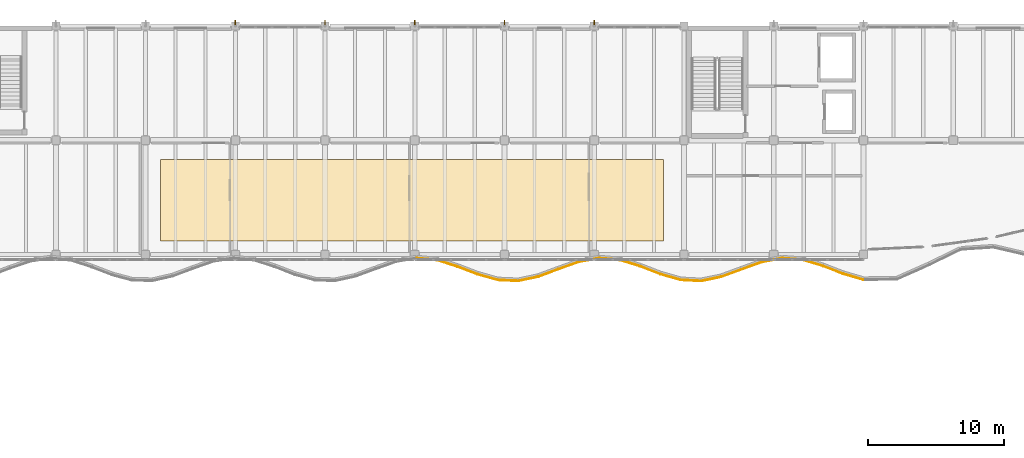
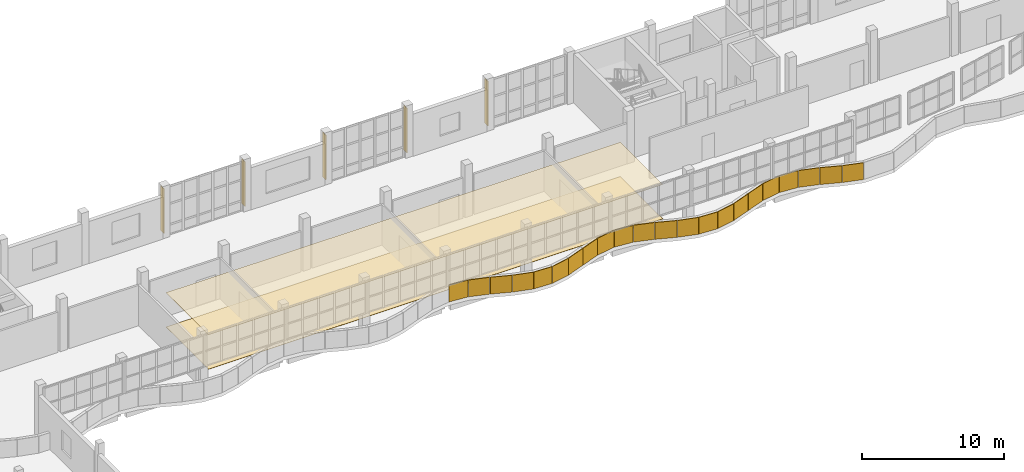
# One storey, part 70 of 76: 24 coverings, 5 shading devices.
"""IFC4 building model written with IfcOpenShell, lengths in metres."""

from ifc_helpers import new_model, si_unit, direction, frame, origin, origin_2d, place, context, subcontext, project, spatial, polyline, rectangle, outline, extrude, material, layer, layer_set, type_object, element, save


model = new_model("IFC4")

# Units and contexts
model_context = context("Model", 3, precision=1e-05, world=origin(), true_north=direction((0.0, 1.0)))
body_context = subcontext(model_context, "Body", "Model", "MODEL_VIEW")
ifc_project = project(units=[si_unit("LENGTHUNIT", "METRE"), si_unit("AREAUNIT", "SQUARE_METRE"), si_unit("VOLUMEUNIT", "CUBIC_METRE"), si_unit("PLANEANGLEUNIT", "RADIAN"), si_unit("MASSUNIT", "GRAM", prefix="KILO")], contexts=[model_context])

# Site, building, storey
site_placement = place(None, origin())
site = spatial("IfcSite", under=ifc_project, at=site_placement, CompositionType="ELEMENT")
building_placement = place(site_placement, origin())
building = spatial("IfcBuilding", under=site, at=building_placement, Name="Qaldarim Faculty of Natural and Applied Sciences", CompositionType="ELEMENT")
storey_placement = place(building_placement, frame((0.0, 0.0, 9.89990234375)))
storey = spatial("IfcBuildingStorey", under=building, at=storey_placement, Name="L02", CompositionType="ELEMENT", Elevation=9.89990234375)

# Coverings
ifc_material_1 = material(Name="Acoustic mineral fibre")
ifc_layer_1 = layer(ifc_material_1, 0.02001953125)
ifc_layer_set_1 = layer_set([ifc_layer_1], Name="Acoustic mineral fibre")
covering_type_1 = type_object("IfcCoveringType", Name="AcousticMineralCeiling-20", PredefinedType="CEILING", material=ifc_layer_set_1)
covering_1_placement = place(storey_placement, frame((0.0, 0.0, 2.9501953125)))
element("IfcCovering", 1, at=covering_1_placement, inside=storey, type_object=covering_type_1, Name="Acoustic mineral-fibre laboratory ceiling L02", PredefinedType="CEILING", context=body_context, shape_type="SweptSolid", body=[
    extrude(outline(polyline([(60.5, 101.800048828125), (97.5, 101.800048828125), (97.5, 107.800048828125), (60.5, 107.800048828125), (60.5, 101.800048828125)])), origin(), (0.0, 0.0, 1.0), 0.02001953125),
])
ifc_material_2 = material(Name="Chemical-resistant epoxy finish")
ifc_layer_2 = layer(ifc_material_2, 0.014892578125)
ifc_layer_set_2 = layer_set([ifc_layer_2], Name="Chemical-resistant epoxy finish")
covering_type_2 = type_object("IfcCoveringType", Name="LabEpoxyFlooring-15", PredefinedType="FLOORING", material=ifc_layer_set_2)
covering_2_placement = place(storey_placement, origin())
element("IfcCovering", 2, at=covering_2_placement, inside=storey, type_object=covering_type_2, Name="Chemical-resistant epoxy laboratory flooring L02", PredefinedType="FLOORING", context=body_context, shape_type="SweptSolid", body=[
    extrude(outline(polyline([(60.5, 101.800048828125), (97.5, 101.800048828125), (97.5, 107.800048828125), (60.5, 107.800048828125), (60.5, 101.800048828125)])), origin(), (0.0, 0.0, 1.0), 0.01513671875),
])
ifc_material_3 = material(Name="White architectural precast concrete C40/50", Category="concrete")
ifc_layer_3 = layer(ifc_material_3, 0.06005859375)
ifc_layer_set_3 = layer_set([ifc_layer_3], Name="White architectural precast concrete C40/50")
covering_type_3 = type_object("IfcCoveringType", Name="LimestoneSpandrelCladding-60", PredefinedType="CLADDING", material=ifc_layer_set_3)
covering_3_placement = place(storey_placement, frame((80.074951171875, 100.455078125, 0.0), z_axis=(0.0, 0.0, 1.0), x_axis=(0.995643710507, -0.093239485886, 0.0)))
element("IfcCovering", 3, at=covering_3_placement, inside=storey, type_object=covering_type_3, Name="White limestone wave band fascia L02 chord 32", PredefinedType="CLADDING", context=body_context, shape_type="SweptSolid", body=[
    extrude(rectangle(XDim=1.4599609375, YDim=0.06005859375, at=origin_2d()), origin(), (0.0, 0.0, 1.0), 1.449951171875),
])
covering_4_placement = place(storey_placement, frame((81.574951171875, 100.14990234375, 0.0), z_axis=(0.0, 0.0, 1.0), x_axis=(0.953968534743, -0.29990671003, 0.0)))
element("IfcCovering", 4, at=covering_4_placement, inside=storey, type_object=covering_type_3, Name="White limestone wave band fascia L02 chord 33", PredefinedType="CLADDING", context=body_context, shape_type="SweptSolid", body=[
    extrude(rectangle(XDim=1.52490234375, YDim=0.06005859375, at=origin_2d()), origin(), (0.0, 0.0, 1.0), 1.449951171875),
])
covering_5_placement = place(storey_placement, frame((83.074951171875, 99.625, 0.0), z_axis=(0.0, 0.0, 1.0), x_axis=(0.933342542564, -0.358987044669, 0.0)))
element("IfcCovering", 5, at=covering_5_placement, inside=storey, type_object=covering_type_3, Name="White limestone wave band fascia L02 chord 34", PredefinedType="CLADDING", context=body_context, shape_type="SweptSolid", body=[
    extrude(rectangle(XDim=1.56005859375, YDim=0.06005859375, at=origin_2d()), origin(), (0.0, 0.0, 1.0), 1.449951171875),
])
covering_6_placement = place(storey_placement, frame((84.56494140625, 99.1298828125, 0.0), z_axis=(0.0, 0.0, 1.0), x_axis=(0.962493127308, -0.271306063117, 0.0)))
element("IfcCovering", 6, at=covering_6_placement, inside=storey, type_object=covering_type_3, Name="White limestone wave band fascia L02 chord 35", PredefinedType="CLADDING", context=body_context, shape_type="SweptSolid", body=[
    extrude(rectangle(XDim=1.510009765625, YDim=0.06005859375, at=origin_2d()), origin(), (0.0, 0.0, 1.0), 1.449951171875),
])
covering_7_placement = place(storey_placement, frame((86.050048828125, 98.889892578125, 0.0), z_axis=(0.0, 0.0, 1.0), x_axis=(0.999055819385, -0.043445019893, 0.0)))
element("IfcCovering", 7, at=covering_7_placement, inside=storey, type_object=covering_type_3, Name="White limestone wave band fascia L02 chord 36", PredefinedType="CLADDING", context=body_context, shape_type="SweptSolid", body=[
    extrude(rectangle(XDim=1.455078125, YDim=0.06005859375, at=origin_2d()), origin(), (0.0, 0.0, 1.0), 1.449951171875),
])
covering_8_placement = place(storey_placement, frame((87.534912109375, 99.010009765625, 0.0), z_axis=(0.0, 0.0, 1.0), x_axis=(0.97851618239, 0.206170028864, 0.0)))
element("IfcCovering", 8, at=covering_8_placement, inside=storey, type_object=covering_type_3, Name="White limestone wave band fascia L02 chord 37", PredefinedType="CLADDING", context=body_context, shape_type="SweptSolid", body=[
    extrude(rectangle(XDim=1.489990234375, YDim=0.06005859375, at=origin_2d()), origin(), (0.0, 0.0, 1.0), 1.449951171875),
])
covering_9_placement = place(storey_placement, frame((89.02490234375, 99.445068359375, 0.0), z_axis=(0.0, 0.0, 1.0), x_axis=(0.937482597106, 0.348032153864, 0.0)))
element("IfcCovering", 9, at=covering_9_placement, inside=storey, type_object=covering_type_3, Name="White limestone wave band fascia L02 chord 38", PredefinedType="CLADDING", context=body_context, shape_type="SweptSolid", body=[
    extrude(rectangle(XDim=1.554931640625, YDim=0.06005859375, at=origin_2d()), origin(), (0.0, 0.0, 1.0), 1.449951171875),
])
covering_10_placement = place(storey_placement, frame((90.52490234375, 99.989990234375, 0.0), z_axis=(0.0, 0.0, 1.0), x_axis=(0.941529364694, 0.336930935681, 0.0)))
element("IfcCovering", 10, at=covering_10_placement, inside=storey, type_object=covering_type_3, Name="White limestone wave band fascia L02 chord 39", PredefinedType="CLADDING", context=body_context, shape_type="SweptSolid", body=[
    extrude(rectangle(XDim=1.550048828125, YDim=0.06005859375, at=origin_2d()), origin(), (0.0, 0.0, 1.0), 1.449951171875),
])
covering_11_placement = place(storey_placement, frame((92.02001953125, 100.39501953125, 0.0), z_axis=(0.0, 0.0, 1.0), x_axis=(0.984649749361, 0.174541889194, 0.0)))
element("IfcCovering", 11, at=covering_11_placement, inside=storey, type_object=covering_type_3, Name="White limestone wave band fascia L02 chord 40", PredefinedType="CLADDING", context=body_context, shape_type="SweptSolid", body=[
    extrude(rectangle(XDim=1.47998046875, YDim=0.06005859375, at=origin_2d()), origin(), (0.0, 0.0, 1.0), 1.449951171875),
])
covering_12_placement = place(storey_placement, frame((93.52490234375, 100.4599609375, 0.0), z_axis=(0.0, 0.0, 1.0), x_axis=(0.996240196174, -0.0866341245, 0.0)))
element("IfcCovering", 12, at=covering_12_placement, inside=storey, type_object=covering_type_3, Name="White limestone wave band fascia L02 chord 41", PredefinedType="CLADDING", context=body_context, shape_type="SweptSolid", body=[
    extrude(rectangle(XDim=1.4599609375, YDim=0.06005859375, at=origin_2d()), origin(), (0.0, 0.0, 1.0), 1.449951171875),
])
covering_13_placement = place(storey_placement, frame((95.02490234375, 100.1650390625, 0.0), z_axis=(0.0, 0.0, 1.0), x_axis=(0.955500019478, -0.294991038469, 0.0)))
element("IfcCovering", 13, at=covering_13_placement, inside=storey, type_object=covering_type_3, Name="White limestone wave band fascia L02 chord 42", PredefinedType="CLADDING", context=body_context, shape_type="SweptSolid", body=[
    extrude(rectangle(XDim=1.52001953125, YDim=0.06005859375, at=origin_2d()), origin(), (0.0, 0.0, 1.0), 1.449951171875),
])
covering_14_placement = place(storey_placement, frame((96.52001953125, 99.639892578125, 0.0), z_axis=(0.0, 0.0, 1.0), x_axis=(0.932298552786, -0.361689657681, 0.0)))
element("IfcCovering", 14, at=covering_14_placement, inside=storey, type_object=covering_type_3, Name="White limestone wave band fascia L02 chord 43", PredefinedType="CLADDING", context=body_context, shape_type="SweptSolid", body=[
    extrude(rectangle(XDim=1.56494140625, YDim=0.06005859375, at=origin_2d()), origin(), (0.0, 0.0, 1.0), 1.449951171875),
])
covering_15_placement = place(storey_placement, frame((98.010009765625, 99.139892578125, 0.0), z_axis=(0.0, 0.0, 1.0), x_axis=(0.961889394975, -0.273438826494, 0.0)))
element("IfcCovering", 15, at=covering_15_placement, inside=storey, type_object=covering_type_3, Name="White limestone wave band fascia L02 chord 44", PredefinedType="CLADDING", context=body_context, shape_type="SweptSolid", body=[
    extrude(rectangle(XDim=1.514892578125, YDim=0.06005859375, at=origin_2d()), origin(), (0.0, 0.0, 1.0), 1.449951171875),
])
covering_16_placement = place(storey_placement, frame((99.4951171875, 98.889892578125, 0.0), z_axis=(0.0, 0.0, 1.0), x_axis=(0.998571384692, -0.053433974907, 0.0)))
element("IfcCovering", 16, at=covering_16_placement, inside=storey, type_object=covering_type_3, Name="White limestone wave band fascia L02 chord 45", PredefinedType="CLADDING", context=body_context, shape_type="SweptSolid", body=[
    extrude(rectangle(XDim=1.455078125, YDim=0.06005859375, at=origin_2d()), origin(), (0.0, 0.0, 1.0), 1.449951171875),
])
covering_17_placement = place(storey_placement, frame((100.985107421875, 99.0, 0.0), z_axis=(0.0, 0.0, 1.0), x_axis=(0.979816692763, 0.199898095498, 0.0)))
element("IfcCovering", 17, at=covering_17_placement, inside=storey, type_object=covering_type_3, Name="White limestone wave band fascia L02 chord 46", PredefinedType="CLADDING", context=body_context, shape_type="SweptSolid", body=[
    extrude(rectangle(XDim=1.485107421875, YDim=0.06005859375, at=origin_2d()), origin(), (0.0, 0.0, 1.0), 1.449951171875),
])
covering_18_placement = place(storey_placement, frame((102.47509765625, 99.425048828125, 0.0), z_axis=(0.0, 0.0, 1.0), x_axis=(0.938505075369, 0.345265439202, 0.0)))
element("IfcCovering", 18, at=covering_18_placement, inside=storey, type_object=covering_type_3, Name="White limestone wave band fascia L02 chord 47", PredefinedType="CLADDING", context=body_context, shape_type="SweptSolid", body=[
    extrude(rectangle(XDim=1.554931640625, YDim=0.06005859375, at=origin_2d()), origin(), (0.0, 0.0, 1.0), 1.449951171875),
])
covering_19_placement = place(storey_placement, frame((103.969970703125, 99.969970703125, 0.0), z_axis=(0.0, 0.0, 1.0), x_axis=(0.940525527603, 0.339723022369, 0.0)))
element("IfcCovering", 19, at=covering_19_placement, inside=storey, type_object=covering_type_3, Name="White limestone wave band fascia L02 chord 48", PredefinedType="CLADDING", context=body_context, shape_type="SweptSolid", body=[
    extrude(rectangle(XDim=1.550048828125, YDim=0.06005859375, at=origin_2d()), origin(), (0.0, 0.0, 1.0), 1.449951171875),
])
covering_20_placement = place(storey_placement, frame((105.469970703125, 100.385009765625, 0.0), z_axis=(0.0, 0.0, 1.0), x_axis=(0.983498926538, 0.180913961589, 0.0)))
element("IfcCovering", 20, at=covering_20_placement, inside=storey, type_object=covering_type_3, Name="White limestone wave band fascia L02 chord 49", PredefinedType="CLADDING", context=body_context, shape_type="SweptSolid", body=[
    extrude(rectangle(XDim=1.47998046875, YDim=0.06005859375, at=origin_2d()), origin(), (0.0, 0.0, 1.0), 1.449951171875),
])
covering_21_placement = place(storey_placement, frame((106.969970703125, 100.465087890625, 0.0), z_axis=(0.0, 0.0, 1.0), x_axis=(0.997035319567, -0.076945250244, 0.0)))
element("IfcCovering", 21, at=covering_21_placement, inside=storey, type_object=covering_type_3, Name="White limestone wave band fascia L02 chord 50", PredefinedType="CLADDING", context=body_context, shape_type="SweptSolid", body=[
    extrude(rectangle(XDim=1.455078125, YDim=0.06005859375, at=origin_2d()), origin(), (0.0, 0.0, 1.0), 1.449951171875),
])
covering_22_placement = place(storey_placement, frame((108.469970703125, 100.179931640625, 0.0), z_axis=(0.0, 0.0, 1.0), x_axis=(0.957561300274, -0.288229693505, 0.0)))
element("IfcCovering", 22, at=covering_22_placement, inside=storey, type_object=covering_type_3, Name="White limestone wave band fascia L02 chord 51", PredefinedType="CLADDING", context=body_context, shape_type="SweptSolid", body=[
    extrude(rectangle(XDim=1.52001953125, YDim=0.06005859375, at=origin_2d()), origin(), (0.0, 0.0, 1.0), 1.449951171875),
])
covering_23_placement = place(storey_placement, frame((109.969970703125, 99.659912109375, 0.0), z_axis=(0.0, 0.0, 1.0), x_axis=(0.932298552786, -0.361689657681, 0.0)))
element("IfcCovering", 23, at=covering_23_placement, inside=storey, type_object=covering_type_3, Name="White limestone wave band fascia L02 chord 52", PredefinedType="CLADDING", context=body_context, shape_type="SweptSolid", body=[
    extrude(rectangle(XDim=1.56494140625, YDim=0.06005859375, at=origin_2d()), origin(), (0.0, 0.0, 1.0), 1.449951171875),
])
covering_24_placement = place(storey_placement, frame((111.4599609375, 99.155029296875, 0.0), z_axis=(0.0, 0.0, 1.0), x_axis=(0.9601816141, -0.279376570142, 0.0)))
element("IfcCovering", 24, at=covering_24_placement, inside=storey, type_object=covering_type_3, Name="White limestone wave band fascia L02 chord 53", PredefinedType="CLADDING", context=body_context, shape_type="SweptSolid", body=[
    extrude(rectangle(XDim=1.514892578125, YDim=0.06005859375, at=origin_2d()), origin(), (0.0, 0.0, 1.0), 1.449951171875),
])

# Shading devices
ifc_material_4 = material(Name="Champagne anodised aluminium AW-6063", Category="aluminium")
ifc_layer_4 = layer(ifc_material_4, 0.06005859375)
ifc_layer_set_4 = layer_set([ifc_layer_4], Name="Champagne anodised aluminium AW-6063")
shading_device_type = type_object("IfcShadingDeviceType", Name="VerticalSunFin-ALU450x60", PredefinedType="SHUTTER", material=ifc_layer_set_4)
for number, where, z_axis, x_axis, name in (
    (25, (66.0, 117.824951171875, 0.2001953125), (0.0, 0.0, 1.0), (1.0, 0.0, 0.0), "North pier fin FIN-V4N-L02-X11"),
    (26, (72.60009765625, 117.824951171875, 0.2001953125), (0.0, 0.0, 1.0), (1.0, 0.0, 0.0), "North pier fin FIN-V4N-L02-X12"),
    (27, (79.199951171875, 117.824951171875, 0.2001953125), (0.0, 0.0, 1.0), (1.0, 0.0, 0.0), "North pier fin FIN-V4N-L02-X13"),
    (28, (85.800048828125, 117.824951171875, 0.2001953125), (0.0, 0.0, 1.0), (1.0, 0.0, 0.0), "North pier fin FIN-V4N-L02-X14"),
    (29, (92.39990234375, 117.824951171875, 0.2001953125), (0.0, 0.0, 1.0), (1.0, 0.0, 0.0), "North pier fin FIN-V4N-L02-X15"),
):
    element("IfcShadingDevice", number, at=place(storey_placement, frame(where, z_axis=z_axis, x_axis=x_axis)), inside=storey, type_object=shading_device_type, Name=name, PredefinedType="SHUTTER", context=body_context, shape_type="SweptSolid", body=[
        extrude(rectangle(XDim=0.06005859375, YDim=0.449951171875, at=origin_2d()), origin(), (0.0, 0.0, 1.0), 3.840087890625),
    ])

save(model, "model.ifc")
